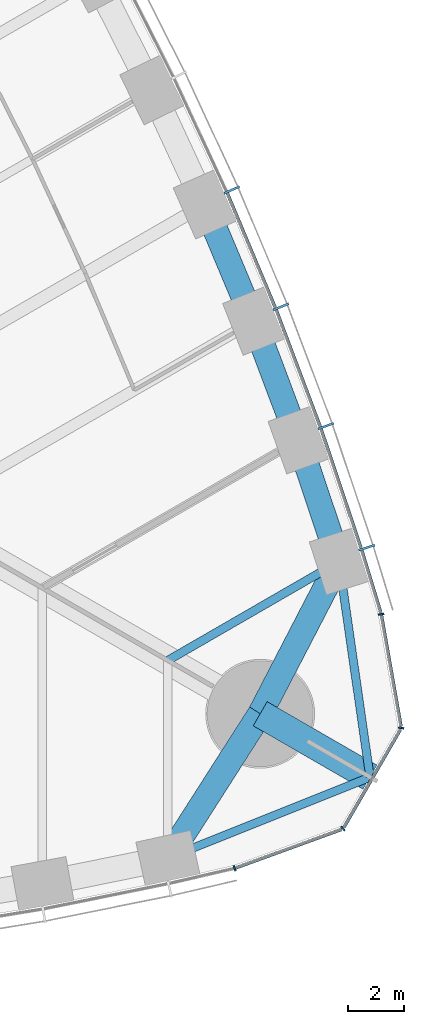
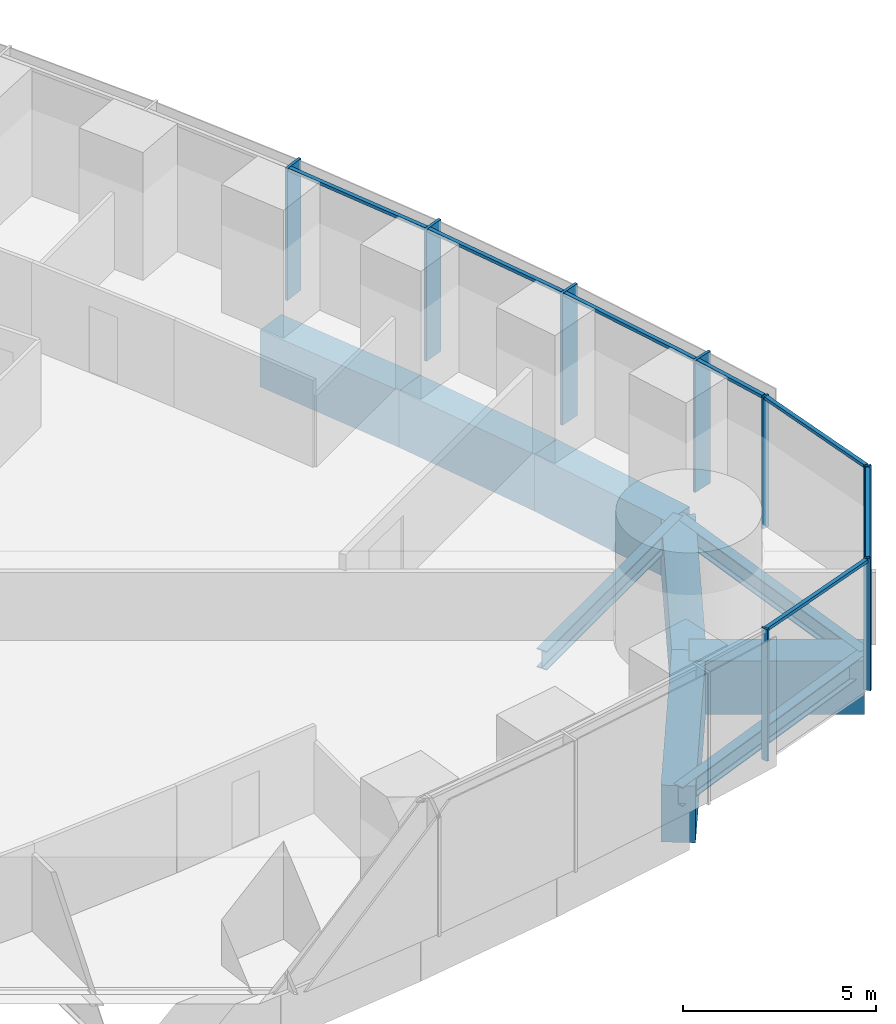
# One storey, part 7 of 18: 15 members, 9 beams, 2 elements without a shape of their own.
"""IFC4 building model written with IfcOpenShell, lengths in metres."""

from ifc_helpers import new_model, si_unit, direction, frame, origin, origin_2d, place, context, subcontext, project, spatial, rectangle, i_section, extrude, material, material_profile, profile_set, type_object, element, aggregate, save


model = new_model("IFC4")

# Units and contexts
model_context = context("Model", 3, precision=1e-05, world=origin(), true_north=direction((0.0, 1.0)))
body_context = subcontext(model_context, "Body", "Model", "MODEL_VIEW")
ifc_project = project(units=[si_unit("LENGTHUNIT", "METRE"), si_unit("AREAUNIT", "SQUARE_METRE"), si_unit("VOLUMEUNIT", "CUBIC_METRE"), si_unit("PLANEANGLEUNIT", "RADIAN"), si_unit("MASSUNIT", "GRAM", prefix="KILO")], contexts=[model_context])

# Site, building, storey
site_placement = place(None, origin())
site = spatial("IfcSite", under=ifc_project, at=site_placement, CompositionType="ELEMENT")
building_placement = place(site_placement, origin())
building = spatial("IfcBuilding", under=site, at=building_placement, Name="Trefoil Bronze Tower", CompositionType="ELEMENT")
storey_placement = place(building_placement, frame((0.0, 0.0, 170.300048828125)))
storey = spatial("IfcBuildingStorey", under=building, at=storey_placement, Name="L39", CompositionType="ELEMENT", Elevation=170.300048828125)

# Curtain wall, members
ifc_material_1 = material(Name="Tinted solar-control glass", Category="glass")
curtain_wall_type_1 = type_object("IfcCurtainWallType", Name="Bronze office curtain wall", PredefinedType="USERDEFINED", material=ifc_material_1)
curtain_wall_1_placement = place(storey_placement, origin())
curtain_wall_1 = element("IfcCurtainWall", 1, at=curtain_wall_1_placement, inside=storey, type_object=curtain_wall_type_1, Name="CW-A L39 F2", ObjectType="CURTAIN WALL", PredefinedType="USERDEFINED")
ifc_material_2 = material(Name="Bronze-finish aluminium", Category="aluminium")
ifc_material_profile_1 = material_profile(ifc_material_2, rectangle(XDim=0.60009765625, YDim=0.080078125, at=origin_2d()), Name="CW-A mullion")
ifc_profile_set_1 = profile_set([ifc_material_profile_1], Name="Bronze-finish aluminium")
member_type_1 = type_object("IfcMemberType", Name="Bronze office curtain wall mullion", PredefinedType="MULLION", material=ifc_profile_set_1)
member_1_placement = place(storey_placement, frame((34.1337890625, -11.543212890625, 0.0), z_axis=(0.0, 0.0, 1.0), x_axis=(-0.952331125357, -0.30506626768, 0.0)))
member_1 = element("IfcMember", 2, at=member_1_placement, type_object=member_type_1, Name="CW-A L39 F2 mullion 2", PredefinedType="MULLION", context=body_context, shape_type="SweptSolid", body=[
    extrude(rectangle(XDim=0.60009765625, YDim=0.080078125, at=origin_2d()), origin(), (0.0, 0.0, 1.0), 4.179931640625),
])
member_2_placement = place(storey_placement, frame((32.668701171875, -7.181884765625, 0.0), z_axis=(0.0, 0.0, 1.0), x_axis=(-0.94196250502, -0.335718094742, 0.0)))
member_2 = element("IfcMember", 3, at=member_2_placement, type_object=member_type_1, Name="CW-A L39 F2 mullion 3", PredefinedType="MULLION", context=body_context, shape_type="SweptSolid", body=[
    extrude(rectangle(XDim=0.60009765625, YDim=0.080078125, at=origin_2d()), origin(), (0.0, 0.0, 1.0), 4.179931640625),
])
member_3_placement = place(storey_placement, frame((31.055419921875, -2.90478515625, 0.0), z_axis=(0.0, 0.0, 1.0), x_axis=(-0.929071242848, -0.369900832269, 0.0)))
member_3 = element("IfcMember", 4, at=member_3_placement, type_object=member_type_1, Name="CW-A L39 F2 mullion 4", PredefinedType="MULLION", context=body_context, shape_type="SweptSolid", body=[
    extrude(rectangle(XDim=0.60009765625, YDim=0.080078125, at=origin_2d()), origin(), (0.0, 0.0, 1.0), 4.179931640625),
])
member_4_placement = place(storey_placement, frame((29.296875, 1.28857421875, 0.0), z_axis=(0.0, 0.0, 1.0), x_axis=(-0.915018269914, -0.40341240155, 0.0)))
member_4 = element("IfcMember", 5, at=member_4_placement, type_object=member_type_1, Name="CW-A L39 F2 mullion 5", PredefinedType="MULLION", context=body_context, shape_type="SweptSolid", body=[
    extrude(rectangle(XDim=0.60009765625, YDim=0.080078125, at=origin_2d()), origin(), (0.0, 0.0, 1.0), 4.179931640625),
])
ifc_material_3 = material(Name="Bronze-finish aluminium", Category="aluminium")
ifc_material_profile_2 = material_profile(ifc_material_3, rectangle(XDim=0.1201171875, YDim=0.10009765625, at=origin_2d()), Name="CW-A transom")
ifc_profile_set_2 = profile_set([ifc_material_profile_2], Name="Bronze-finish aluminium")
member_type_2 = type_object("IfcMemberType", Name="Bronze office curtain wall transom", PredefinedType="USERDEFINED", material=ifc_profile_set_2)
member_5_placement = place(storey_placement, frame((34.637939453125, -13.88232421875, 4.1298828125), z_axis=(-0.291680468798, 0.956515814883, 0.0), x_axis=(-0.956515814883, -0.291680468798, 0.0)))
member_5 = element("IfcMember", 6, at=member_5_placement, type_object=member_type_2, Name="CW-A L39 F2 transom 1", ObjectType="TRANSOM", PredefinedType="USERDEFINED", context=body_context, shape_type="SweptSolid", body=[
    extrude(rectangle(XDim=0.1201171875, YDim=0.10009765625, at=origin_2d()), origin(), (0.0, 0.0, 1.0), 2.34033203125),
])
member_6_placement = place(storey_placement, frame((33.929931640625, -11.56494140625, 4.1298828125), z_axis=(-0.318386323729, 0.947961048178, 0.0), x_axis=(-0.947961048178, -0.318386323729, 0.0)))
member_6 = element("IfcMember", 7, at=member_6_placement, type_object=member_type_2, Name="CW-A L39 F2 transom 2", ObjectType="TRANSOM", PredefinedType="USERDEFINED", context=body_context, shape_type="SweptSolid", body=[
    extrude(rectangle(XDim=0.1201171875, YDim=0.10009765625, at=origin_2d()), origin(), (0.0, 0.0, 1.0), 4.51123046875),
])
member_7_placement = place(storey_placement, frame((32.465576171875, -7.2099609375, 4.1298828125), z_axis=(-0.352932154759, 0.935648916067, 0.0), x_axis=(-0.935648916067, -0.352932154759, 0.0)))
member_7 = element("IfcMember", 8, at=member_7_placement, type_object=member_type_2, Name="CW-A L39 F2 transom 3", ObjectType="TRANSOM", PredefinedType="USERDEFINED", context=body_context, shape_type="SweptSolid", body=[
    extrude(rectangle(XDim=0.1201171875, YDim=0.10009765625, at=origin_2d()), origin(), (0.0, 0.0, 1.0), 4.48046875),
])
member_8_placement = place(storey_placement, frame((30.853515625, -2.940185546875, 4.1298828125), z_axis=(-0.386773266184, 0.922174842731, 0.0), x_axis=(-0.922174842731, -0.386773266184, 0.0)))
member_8 = element("IfcMember", 9, at=member_8_placement, type_object=member_type_2, Name="CW-A L39 F2 transom 4", ObjectType="TRANSOM", PredefinedType="USERDEFINED", context=body_context, shape_type="SweptSolid", body=[
    extrude(rectangle(XDim=0.1201171875, YDim=0.10009765625, at=origin_2d()), origin(), (0.0, 0.0, 1.0), 4.45654296875),
])
aggregate(curtain_wall_1, [member_1, member_2, member_3, member_4, member_5, member_6, member_7, member_8])

ifc_material_4 = material(Name="Tinted solar-control glass", Category="glass")
curtain_wall_type_2 = type_object("IfcCurtainWallType", Name="Bronze rounded corner curtain wall", PredefinedType="USERDEFINED", material=ifc_material_4)
curtain_wall_2_placement = place(storey_placement, origin())
curtain_wall_2 = element("IfcCurtainWall", 10, at=curtain_wall_2_placement, inside=storey, type_object=curtain_wall_type_2, Name="CW-B L39 K1", ObjectType="CURTAIN WALL", PredefinedType="USERDEFINED")
ifc_material_5 = material(Name="Bronze-finish aluminium", Category="aluminium")
ifc_material_profile_3 = material_profile(ifc_material_5, rectangle(XDim=0.199951171875, YDim=0.06005859375, at=origin_2d()), Name="CW-B mullion")
ifc_profile_set_3 = profile_set([ifc_material_profile_3], Name="Bronze-finish aluminium")
member_type_3 = type_object("IfcMemberType", Name="Bronze rounded corner curtain wall mullion", PredefinedType="MULLION", material=ifc_profile_set_3)
member_9_placement = place(storey_placement, frame((29.391845703125, -23.043701171875, 0.0), z_axis=(0.0, 0.0, 1.0), x_axis=(-0.342020143326, 0.939692620786, 0.0)))
member_9 = element("IfcMember", 11, at=member_9_placement, type_object=member_type_3, Name="CW-B L39 K1 mullion 1", PredefinedType="MULLION", context=body_context, shape_type="SweptSolid", body=[
    extrude(rectangle(XDim=0.199951171875, YDim=0.06005859375, at=origin_2d()), origin(), (0.0, 0.0, 1.0), 4.179931640625),
])
member_10_placement = place(storey_placement, frame((33.27880859375, -21.62255859375, 0.0), z_axis=(0.0, 0.0, 1.0), x_axis=(-0.642787609687, 0.766044443119, 0.0)))
member_10 = element("IfcMember", 12, at=member_10_placement, type_object=member_type_3, Name="CW-B L39 K1 mullion 2", PredefinedType="MULLION", context=body_context, shape_type="SweptSolid", body=[
    extrude(rectangle(XDim=0.199951171875, YDim=0.06005859375, at=origin_2d()), origin(), (0.0, 0.0, 1.0), 4.179931640625),
])
member_11_placement = place(storey_placement, frame((35.364990234375, -18.009033203125, 0.0), z_axis=(0.0, 0.0, 1.0), x_axis=(-0.984807753012, 0.173648177667, 0.0)))
member_11 = element("IfcMember", 13, at=member_11_placement, type_object=member_type_3, Name="CW-B L39 K1 mullion 3", PredefinedType="MULLION", context=body_context, shape_type="SweptSolid", body=[
    extrude(rectangle(XDim=0.199951171875, YDim=0.06005859375, at=origin_2d()), origin(), (0.0, 0.0, 1.0), 4.179931640625),
])
member_12_placement = place(storey_placement, frame((34.65234375, -13.932373046875, 0.0), z_axis=(0.0, 0.0, 1.0), x_axis=(-0.984807753012, -0.173648177667, 0.0)))
member_12 = element("IfcMember", 14, at=member_12_placement, type_object=member_type_3, Name="CW-B L39 K1 mullion 4", PredefinedType="MULLION", context=body_context, shape_type="SweptSolid", body=[
    extrude(rectangle(XDim=0.199951171875, YDim=0.06005859375, at=origin_2d()), origin(), (0.0, 0.0, 1.0), 4.179931640625),
])
ifc_material_6 = material(Name="Bronze-finish aluminium", Category="aluminium")
ifc_material_profile_4 = material_profile(ifc_material_6, rectangle(XDim=0.1201171875, YDim=0.10009765625, at=origin_2d()), Name="CW-B transom")
ifc_profile_set_4 = profile_set([ifc_material_profile_4], Name="Bronze-finish aluminium")
member_type_4 = type_object("IfcMemberType", Name="Bronze rounded corner curtain wall transom", PredefinedType="USERDEFINED", material=ifc_profile_set_4)
member_13_placement = place(storey_placement, frame((29.420166015625, -23.033447265625, 4.1298828125), z_axis=(0.939684096629, 0.342043562347, 0.0), x_axis=(-0.342043562347, 0.939684096629, 0.0)))
member_13 = element("IfcMember", 15, at=member_13_placement, type_object=member_type_4, Name="CW-B L39 K1 transom 1", ObjectType="TRANSOM", PredefinedType="USERDEFINED", context=body_context, shape_type="SweptSolid", body=[
    extrude(rectangle(XDim=0.1201171875, YDim=0.10009765625, at=origin_2d()), origin(), (0.0, 0.0, 1.0), 4.044189453125),
])
member_14_placement = place(storey_placement, frame((33.31591796875, -21.570068359375, 4.1298828125), z_axis=(0.500015078168, 0.866016698225, 0.0), x_axis=(-0.866016698225, 0.500015078168, 0.0)))
member_14 = element("IfcMember", 16, at=member_14_placement, type_object=member_type_4, Name="CW-B L39 K1 transom 2", ObjectType="TRANSOM", PredefinedType="USERDEFINED", context=body_context, shape_type="SweptSolid", body=[
    extrude(rectangle(XDim=0.1201171875, YDim=0.10009765625, at=origin_2d()), origin(), (0.0, 0.0, 1.0), 4.04443359375),
])
member_15_placement = place(storey_placement, frame((35.35986328125, -17.944580078125, 4.1298828125), z_axis=(-0.173682016639, 0.984801785689, 0.0), x_axis=(-0.984801785689, -0.173682016639, 0.0)))
member_15 = element("IfcMember", 17, at=member_15_placement, type_object=member_type_4, Name="CW-B L39 K1 transom 3", ObjectType="TRANSOM", PredefinedType="USERDEFINED", context=body_context, shape_type="SweptSolid", body=[
    extrude(rectangle(XDim=0.1201171875, YDim=0.10009765625, at=origin_2d()), origin(), (0.0, 0.0, 1.0), 4.044189453125),
])
aggregate(curtain_wall_2, [member_9, member_10, member_11, member_12, member_13, member_14, member_15])

# Beams
ifc_material_7 = material(Name="Concrete B80", Category="concrete")
ifc_material_profile_5 = material_profile(ifc_material_7, rectangle(XDim=1.0, YDim=1.699951171875, at=origin_2d()), Name="RC 1000x1700")
ifc_profile_set_5 = profile_set([ifc_material_profile_5], Name="Concrete B80")
beam_type_1 = type_object("IfcBeamType", Name="Corner cantilever RC 1000x1700", PredefinedType="BEAM", material=ifc_profile_set_5)
beam_1_placement = place(storey_placement, frame((30.310791015625, -17.5, -1.050048828125), z_axis=(0.866031878637, -0.499988785058, 0.0), x_axis=(0.499988785058, 0.866031878637, 0.0)))
element("IfcBeam", 18, at=beam_1_placement, inside=storey, type_object=beam_type_1, Name="Corner cantilever K1 L39", PredefinedType="BEAM", context=body_context, shape_type="SweptSolid", body=[
    extrude(rectangle(XDim=1.0, YDim=1.699951171875, at=origin_2d()), origin(), (0.0, 0.0, 1.0), 4.54931640625),
])
ifc_material_8 = material(Name="Steel C355", Category="steel")
ifc_material_profile_6 = material_profile(ifc_material_8, i_section(OverallWidth=0.300048828125, OverallDepth=0.60009765625, WebThickness=0.015380859375, FlangeThickness=0.030029296875, FilletRadius=0.027099609375, at=origin_2d()), Name="HEB 600")
ifc_profile_set_6 = profile_set([ifc_material_profile_6], Name="Steel C355")
beam_type_2 = type_object("IfcBeamType", Name="Corner edge beam HEB 600", PredefinedType="BEAM", material=ifc_profile_set_6)
for number, where, z_axis, x_axis, name in (
    (19, (27.0, -22.67724609375, -0.5), (0.928375332495, 0.371643972122, 0.0), (-0.371643972122, 0.928375332495, 0.0), "Corner edge beam F1A L39"),
    (20, (33.13916015625, -12.044189453125, -0.5), (0.142327214588, -0.989819662357, 0.0), (0.989819662357, 0.142327214588, 0.0), "Corner edge beam F2B L39"),
):
    element("IfcBeam", number, at=place(storey_placement, frame(where, z_axis=z_axis, x_axis=x_axis)), inside=storey, type_object=beam_type_2, Name=name, PredefinedType="BEAM", context=body_context, shape_type="SweptSolid", body=[
        extrude(i_section(OverallWidth=0.300048828125, OverallDepth=0.60009765625, WebThickness=0.015380859375, FlangeThickness=0.030029296875, FilletRadius=0.027099609375, at=origin_2d()), origin(), (0.0, 0.0, 1.0), 7.81005859375),
    ])
ifc_material_9 = material(Name="Concrete B80", Category="concrete")
ifc_material_profile_7 = material_profile(ifc_material_9, rectangle(XDim=0.89990234375, YDim=1.800048828125, at=origin_2d()), Name="RC 900x1800")
ifc_profile_set_7 = profile_set([ifc_material_profile_7], Name="Concrete B80")
beam_type_3 = type_object("IfcBeamType", Name="End spandrel beam RC 900x1800", PredefinedType="SPANDREL", material=ifc_profile_set_7)
for number, where, z_axis, x_axis, name in (
    (21, (27.0, -22.67724609375, -1.10009765625), (0.53874814953, 0.84246687257, 0.0), (-0.84246687257, 0.53874814953, 0.0), "Spandrel F1.14 L39"),
    (22, (30.310791015625, -17.5, -1.10009765625), (0.460244107083, 0.887792409235, 0.0), (-0.887792409235, 0.460244107083, 0.0), "Spandrel F2.1 L39"),
):
    element("IfcBeam", number, at=place(storey_placement, frame(where, z_axis=z_axis, x_axis=x_axis)), inside=storey, type_object=beam_type_3, Name=name, PredefinedType="SPANDREL", context=body_context, shape_type="SweptSolid", body=[
        extrude(rectangle(XDim=0.89990234375, YDim=1.800048828125, at=origin_2d()), origin(), (0.0, 0.0, 1.0), 6.145263671875),
    ])
ifc_material_10 = material(Name="Steel C355", Category="steel")
ifc_material_profile_8 = material_profile(ifc_material_10, i_section(OverallWidth=0.300048828125, OverallDepth=0.60009765625, WebThickness=0.015380859375, FlangeThickness=0.030029296875, FilletRadius=0.027099609375, at=origin_2d()), Name="HEB 600")
ifc_profile_set_8 = profile_set([ifc_material_profile_8], Name="Steel C355")
beam_type_4 = type_object("IfcBeamType", Name="Floor beam HEB 600", PredefinedType="BEAM", material=ifc_profile_set_8)
beam_2_placement = place(storey_placement, frame((33.13916015625, -12.044189453125, -0.5), z_axis=(-0.866041060244, -0.499972881236, 0.0), x_axis=(0.499972881236, -0.866041060244, 0.0)))
element("IfcBeam", 23, at=beam_2_placement, inside=storey, type_object=beam_type_4, Name="Floor beam F2/-6 L39", PredefinedType="BEAM", context=body_context, shape_type="SweptSolid", body=[
    extrude(i_section(OverallWidth=0.300048828125, OverallDepth=0.60009765625, WebThickness=0.015380859375, FlangeThickness=0.030029296875, FilletRadius=0.027099609375, at=origin_2d()), origin(), (0.0, 0.0, 1.0), 7.0888671875),
])
ifc_material_11 = material(Name="Concrete B80", Category="concrete")
ifc_material_profile_9 = material_profile(ifc_material_11, rectangle(XDim=0.89990234375, YDim=1.800048828125, at=origin_2d()), Name="RC 900x1800")
ifc_profile_set_9 = profile_set([ifc_material_profile_9], Name="Concrete B80")
beam_type_5 = type_object("IfcBeamType", Name="Spandrel beam RC 900x1800", PredefinedType="SPANDREL", material=ifc_profile_set_9)
beam_3_placement = place(storey_placement, frame((33.13916015625, -12.044189453125, -1.10009765625), z_axis=(-0.31732802068, 0.948315837309, 0.0), x_axis=(-0.948315837309, -0.31732802068, 0.0)))
element("IfcBeam", 24, at=beam_3_placement, inside=storey, type_object=beam_type_5, Name="Spandrel F2.2 L39", PredefinedType="SPANDREL", context=body_context, shape_type="SweptSolid", body=[
    extrude(rectangle(XDim=0.89990234375, YDim=1.800048828125, at=origin_2d()), origin(), (0.0, 0.0, 1.0), 4.59228515625),
])
beam_4_placement = place(storey_placement, frame((31.681884765625, -7.689208984375, -1.10009765625), z_axis=(-0.351938675523, 0.936023059904, 0.0), x_axis=(-0.936023059904, -0.351938675523, 0.0)))
element("IfcBeam", 25, at=beam_4_placement, inside=storey, type_object=beam_type_5, Name="Spandrel F2.3 L39", PredefinedType="SPANDREL", context=body_context, shape_type="SweptSolid", body=[
    extrude(rectangle(XDim=0.89990234375, YDim=1.800048828125, at=origin_2d()), origin(), (0.0, 0.0, 1.0), 4.56103515625),
])
beam_5_placement = place(storey_placement, frame((30.07666015625, -3.419921875, -1.10009765625), z_axis=(-0.386013490858, 0.922493135408, 0.0), x_axis=(-0.922493135408, -0.386013490858, 0.0)))
element("IfcBeam", 26, at=beam_5_placement, inside=storey, type_object=beam_type_5, Name="Spandrel F2.4 L39", PredefinedType="SPANDREL", context=body_context, shape_type="SweptSolid", body=[
    extrude(rectangle(XDim=0.89990234375, YDim=1.800048828125, at=origin_2d()), origin(), (0.0, 0.0, 1.0), 4.53662109375),
])

save(model, "model.ifc")
